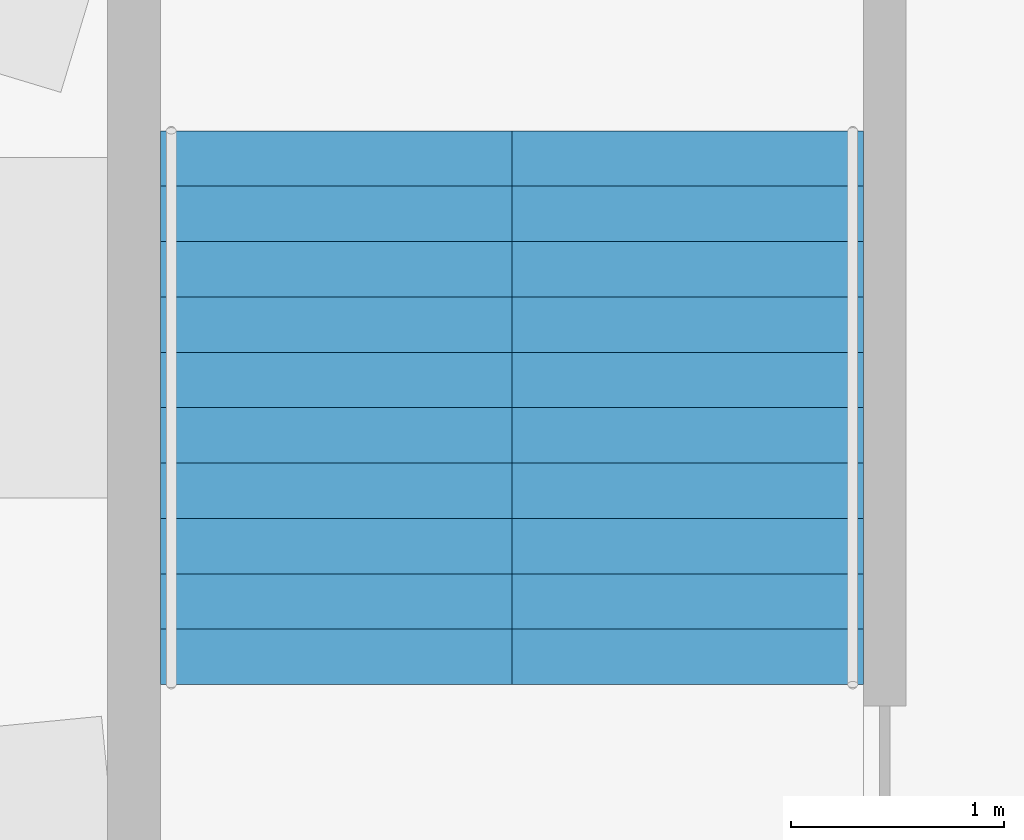
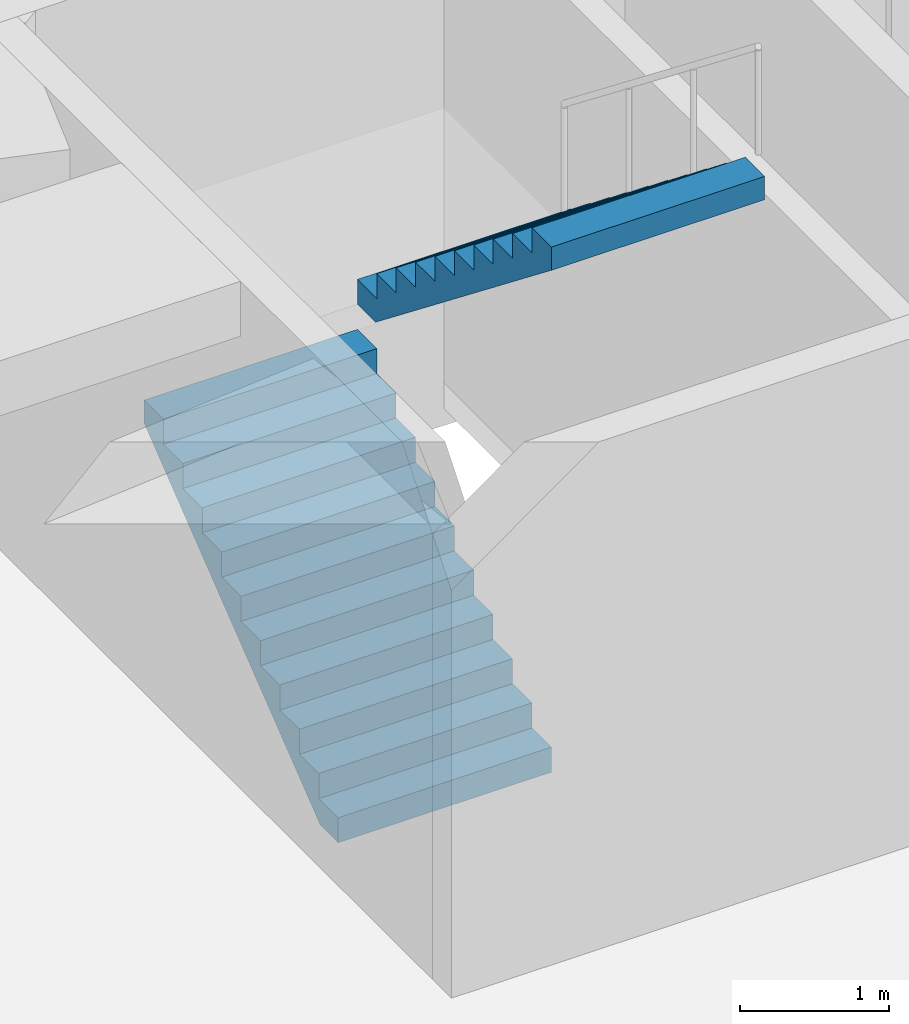
# One storey, part 16 of 17: 2 stair flights, 1 element without a shape of its own.
"""IFC4 building model written with IfcOpenShell, lengths in metres."""

from ifc_helpers import new_model, si_unit, direction, frame, origin, place, context, subcontext, project, spatial, polyline, outline, extrude, material, type_object, element, aggregate, save


model = new_model("IFC4")

# Units and contexts
model_context = context("Model", 3, precision=1e-05, world=origin(), true_north=direction((0.0, 1.0)))
body_context = subcontext(model_context, "Body", "Model", "MODEL_VIEW")
ifc_project = project(units=[si_unit("LENGTHUNIT", "METRE"), si_unit("AREAUNIT", "SQUARE_METRE"), si_unit("VOLUMEUNIT", "CUBIC_METRE"), si_unit("PLANEANGLEUNIT", "RADIAN"), si_unit("MASSUNIT", "GRAM", prefix="KILO")], contexts=[model_context])

# Site, building, storey
site_placement = place(None, origin())
site = spatial("IfcSite", under=ifc_project, at=site_placement, CompositionType="ELEMENT")
building_placement = place(site_placement, origin())
building = spatial("IfcBuilding", under=site, at=building_placement, Name="Taillehof Tower", CompositionType="ELEMENT")
storey_placement = place(building_placement, frame((0.0, 0.0, 259.699951171875)))
storey = spatial("IfcBuildingStorey", under=building, at=storey_placement, Name="L74", CompositionType="ELEMENT", Elevation=259.699951171875)

# Stair, stair flights
ifc_material_1 = material(Name="Concrete C40/50", Category="concrete")
stair_type = type_object("IfcStairType", Name="Exit stair half-turn", PredefinedType="HALF_TURN_STAIR", material=ifc_material_1)
stair_placement = place(storey_placement, origin())
stair = element("IfcStair", 1, at=stair_placement, inside=storey, type_object=stair_type, Name="Exit stair S3", PredefinedType="HALF_TURN_STAIR")
ifc_material_2 = material(Name="Concrete C40/50", Category="concrete")
stair_flight_type = type_object("IfcStairFlightType", Name="Stair flight 1650 riser 204.5 going 260", PredefinedType="STRAIGHT", material=ifc_material_2)
stair_flight_1_placement = place(storey_placement, frame((-13.425048828125, 9.449951171875, 0.0), z_axis=(0.0, 0.0, 1.0), x_axis=(0.0, 1.0, 0.0)))
stair_flight_1 = element("IfcStairFlight", 2, at=stair_flight_1_placement, type_object=stair_flight_type, Name="S3 flight 1", NumberOfRisers=11, NumberOfTreads=10, PredefinedType="STRAIGHT", RiserHeight=0.204545455, TreadLength=0.26, context=body_context, shape_type="SweptSolid", body=[
    extrude(outline(polyline([(0.0, 0.0), (0.0, 0.006103515625), (0.0, 0.011962890625), (0.0, 0.01806640625), (0.0, 0.024169921875), (0.0, 0.030029296875), (0.0, 0.0361328125), (0.0, 0.0419921875), (0.0, 0.048095703125), (0.0, 0.05419921875), (0.0, 0.06005859375), (0.0, 0.066162109375), (0.0, 0.072265625), (0.0, 0.078125), (0.0, 0.084228515625), (0.0, 0.09033203125), (0.0, 0.09619140625), (0.0, 0.102294921875), (0.0, 0.1083984375), (0.0, 0.1142578125), (0.0, 0.120361328125), (0.0, 0.126220703125), (0.0, 0.13232421875), (0.0, 0.138427734375), (0.0, 0.144287109375), (0.0, 0.150390625), (0.0, 0.156494140625), (0.0, 0.162353515625), (0.0, 0.16845703125), (0.0, 0.174560546875), (0.0, 0.180419921875), (0.0, 0.1865234375), (0.0, 0.192626953125), (0.0, 0.198486328125), (0.0, 0.20458984375), (0.260009765625, 0.20458984375), (0.260009765625, 0.4091796875), (0.52001953125, 0.4091796875), (0.52001953125, 0.613525390625), (0.780029296875, 0.613525390625), (0.780029296875, 0.818115234375), (1.0400390625, 0.818115234375), (1.0400390625, 1.022705078125), (1.300048828125, 1.022705078125), (1.300048828125, 1.227294921875), (1.56005859375, 1.227294921875), (1.56005859375, 1.431884765625), (1.820068359375, 1.431884765625), (1.820068359375, 1.636474609375), (2.080078125, 1.636474609375), (2.080078125, 1.8408203125), (2.340087890625, 1.8408203125), (2.340087890625, 2.04541015625), (2.60009765625, 2.04541015625), (2.60009765625, 2.039794921875), (2.60009765625, 2.0341796875), (2.60009765625, 2.028564453125), (2.60009765625, 2.02294921875), (2.60009765625, 2.017333984375), (2.60009765625, 2.01171875), (2.60009765625, 2.006103515625), (2.60009765625, 2.00048828125), (2.60009765625, 1.994873046875), (2.60009765625, 1.9892578125), (2.60009765625, 1.983642578125), (2.60009765625, 1.97802734375), (2.60009765625, 1.972412109375), (2.60009765625, 1.966796875), (2.60009765625, 1.96142578125), (2.60009765625, 1.955810546875), (2.60009765625, 1.9501953125), (2.60009765625, 1.944580078125), (2.60009765625, 1.93896484375), (2.60009765625, 1.933349609375), (2.60009765625, 1.927734375), (2.60009765625, 1.922119140625), (2.60009765625, 1.91650390625), (2.60009765625, 1.910888671875), (2.60009765625, 1.9052734375), (2.60009765625, 1.899658203125), (2.60009765625, 1.89404296875), (2.60009765625, 1.888427734375), (2.60009765625, 1.8828125), (2.60009765625, 1.877197265625), (2.60009765625, 1.87158203125), (2.60009765625, 1.865966796875), (2.60009765625, 1.8603515625), (2.60009765625, 1.854736328125), (0.242431640625, 0.0), (0.0, 0.0)])), frame((0.0, 0.824951171875, 0.0), z_axis=(0.0, -1.0, 0.0), x_axis=(1.0, 0.0, 0.0)), (0.0, 0.0, 1.0), 1.65),
])
stair_flight_2_placement = place(storey_placement, frame((-11.77490234375, 12.050048828125, 2.25), z_axis=(0.0, 0.0, 1.0), x_axis=(0.0, -1.0, 0.0)))
stair_flight_2 = element("IfcStairFlight", 3, at=stair_flight_2_placement, type_object=stair_flight_type, Name="S3 flight 2", NumberOfRisers=11, NumberOfTreads=10, PredefinedType="STRAIGHT", RiserHeight=0.204545455, TreadLength=0.26, context=body_context, shape_type="SweptSolid", body=[
    extrude(outline(polyline([(0.0, 0.0), (0.0, 0.006103515625), (0.0, 0.011962890625), (0.0, 0.01806640625), (0.0, 0.024169921875), (0.0, 0.030029296875), (0.0, 0.0361328125), (0.0, 0.0419921875), (0.0, 0.048095703125), (0.0, 0.05419921875), (0.0, 0.06005859375), (0.0, 0.066162109375), (0.0, 0.072265625), (0.0, 0.078125), (0.0, 0.084228515625), (0.0, 0.09033203125), (0.0, 0.09619140625), (0.0, 0.102294921875), (0.0, 0.1083984375), (0.0, 0.1142578125), (0.0, 0.120361328125), (0.0, 0.126220703125), (0.0, 0.13232421875), (0.0, 0.138427734375), (0.0, 0.144287109375), (0.0, 0.150390625), (0.0, 0.156494140625), (0.0, 0.162353515625), (0.0, 0.16845703125), (0.0, 0.174560546875), (0.0, 0.180419921875), (0.0, 0.1865234375), (0.0, 0.192626953125), (0.0, 0.198486328125), (0.0, 0.20458984375), (0.260009765625, 0.20458984375), (0.260009765625, 0.4091796875), (0.52001953125, 0.4091796875), (0.52001953125, 0.613525390625), (0.780029296875, 0.613525390625), (0.780029296875, 0.818115234375), (1.0400390625, 0.818115234375), (1.0400390625, 1.022705078125), (1.300048828125, 1.022705078125), (1.300048828125, 1.227294921875), (1.56005859375, 1.227294921875), (1.56005859375, 1.431884765625), (1.820068359375, 1.431884765625), (1.820068359375, 1.636474609375), (2.080078125, 1.636474609375), (2.080078125, 1.8408203125), (2.340087890625, 1.8408203125), (2.340087890625, 2.04541015625), (2.60009765625, 2.04541015625), (2.60009765625, 2.039794921875), (2.60009765625, 2.0341796875), (2.60009765625, 2.028564453125), (2.60009765625, 2.02294921875), (2.60009765625, 2.017333984375), (2.60009765625, 2.01171875), (2.60009765625, 2.006103515625), (2.60009765625, 2.00048828125), (2.60009765625, 1.994873046875), (2.60009765625, 1.9892578125), (2.60009765625, 1.983642578125), (2.60009765625, 1.97802734375), (2.60009765625, 1.972412109375), (2.60009765625, 1.966796875), (2.60009765625, 1.96142578125), (2.60009765625, 1.955810546875), (2.60009765625, 1.9501953125), (2.60009765625, 1.944580078125), (2.60009765625, 1.93896484375), (2.60009765625, 1.933349609375), (2.60009765625, 1.927734375), (2.60009765625, 1.922119140625), (2.60009765625, 1.91650390625), (2.60009765625, 1.910888671875), (2.60009765625, 1.9052734375), (2.60009765625, 1.899658203125), (2.60009765625, 1.89404296875), (2.60009765625, 1.888427734375), (2.60009765625, 1.8828125), (2.60009765625, 1.877197265625), (2.60009765625, 1.87158203125), (2.60009765625, 1.865966796875), (2.60009765625, 1.8603515625), (2.60009765625, 1.854736328125), (0.242431640625, 0.0), (0.0, 0.0)])), frame((0.0, 0.824951171875, 0.0), z_axis=(0.0, -1.0, 0.0), x_axis=(1.0, 0.0, 0.0)), (0.0, 0.0, 1.0), 1.65),
])
aggregate(stair, [stair_flight_1, stair_flight_2])

save(model, "model.ifc")
